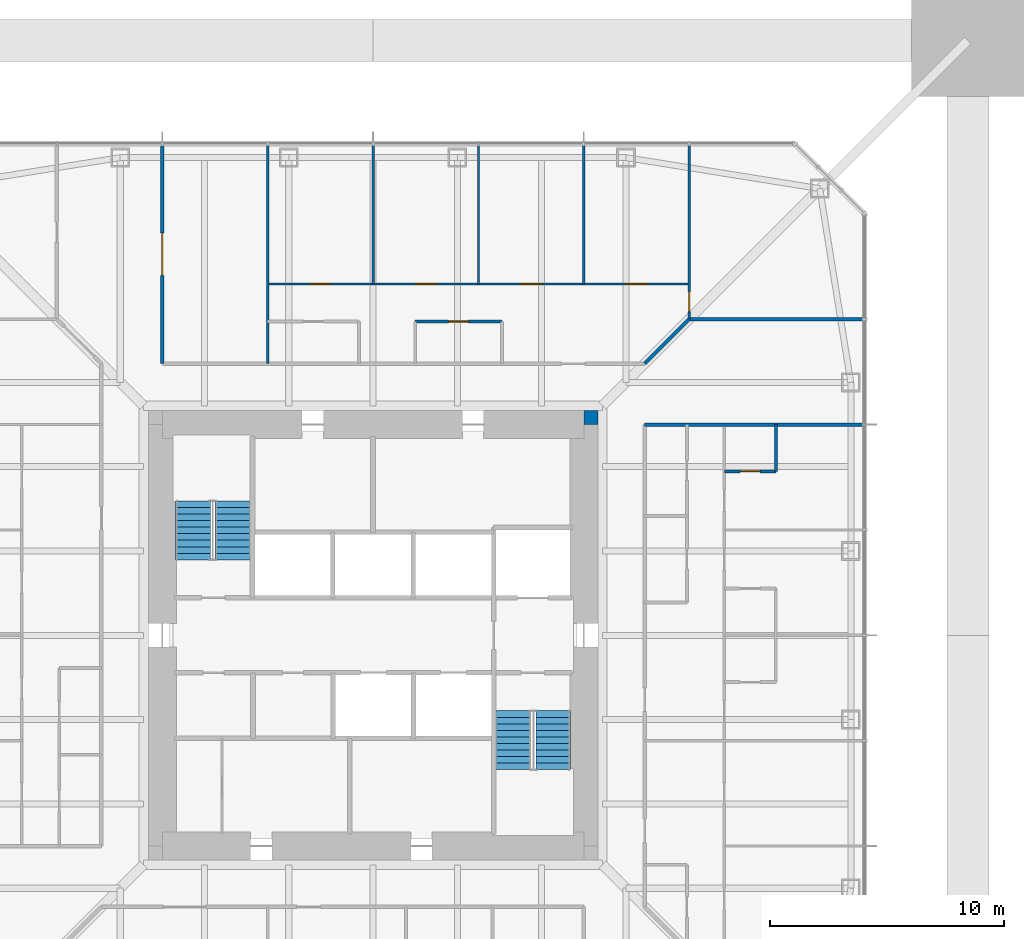
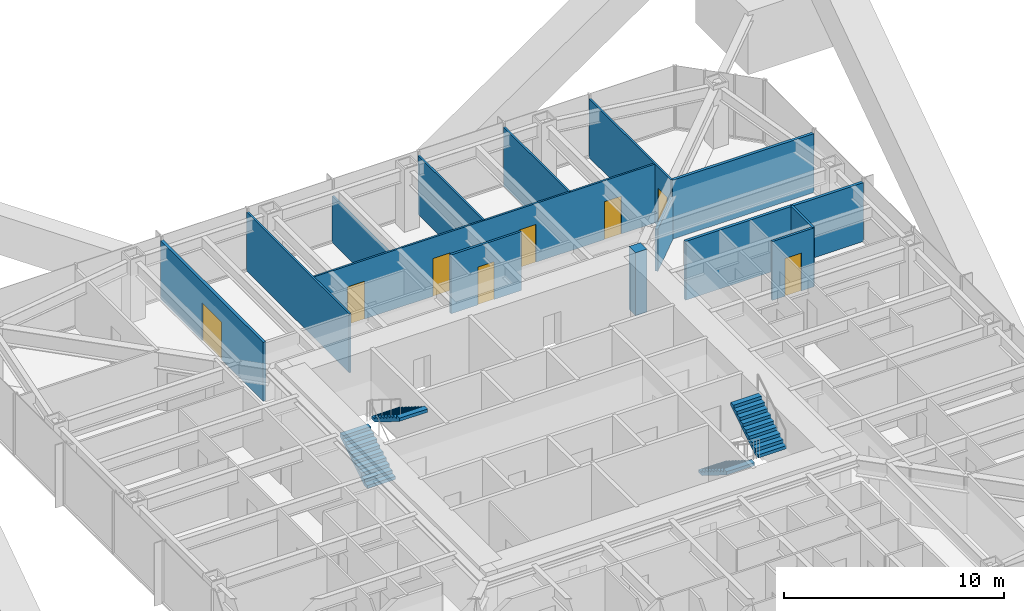
# One storey, part 13 of 17: 14 walls, 8 doors, 4 stair flights, 8 openings, 2 elements without a shape of their own.
"""IFC4 building model written with IfcOpenShell, lengths in metres."""

import ifcopenshell
import ifcopenshell.guid

model = None  # the IFC model being written
_history = None  # IfcOwnerHistory: only IFC2X3 demands one
_inside = {}  # id of a spatial element -> (the spatial element, [elements in it])
_under = {}  # id of a project, library or spatial element -> (it, [spatial elements below it])
_declared = {}  # id of a project -> (the project, [libraries it declares])
_typed = {}  # id of a type object -> (the type object, [elements of that type])
_made_of = {}  # id of a material, layer set ... -> (it, [elements and type objects made of it])


def new_model(schema):
    """Start an empty IFC model of exactly this schema.

    Asked for "IFC4X3", IfcOpenShell would pick the latest addendum, in which some entities
    have other attributes; the version numbers below select the first issue.
    IFC2X3 requires an IfcOwnerHistory on every rooted entity: one is made here for all.
    """
    global model, _history
    if schema == "IFC4X3":
        model = ifcopenshell.file(schema_version=(4, 3, 0, 0))
    else:
        model = ifcopenshell.file(schema=schema)
    _inside.clear()
    _under.clear()
    _declared.clear()
    _typed.clear()
    _made_of.clear()
    _history = None
    if model.schema == "IFC2X3":
        org = make("IfcOrganization", Name="unknown")
        user = make(
            "IfcPersonAndOrganization",
            ThePerson=make("IfcPerson", FamilyName="unknown"),
            TheOrganization=org,
        )
        app = make(
            "IfcApplication",
            ApplicationDeveloper=org,
            Version="unknown",
            ApplicationFullName="unknown",
            ApplicationIdentifier="unknown",
        )
        _history = make(
            "IfcOwnerHistory",
            OwningUser=user,
            OwningApplication=app,
            ChangeAction="ADDED",
            CreationDate=0,
        )
    return model


def make(cls, **values):
    """One entity of the class cls with the attributes given. An attribute that is None is left unset."""
    return model.create_entity(
        cls, **{name: value for name, value in values.items() if value is not None}
    )


def rooted(cls, **values):
    """An entity with a GlobalId (a new one), such as an element, a storey or a relation."""
    return make(cls, GlobalId=ifcopenshell.guid.new(), OwnerHistory=_history, **values)


def si_unit(unit_type, name, prefix=None):
    """IfcSIUnit, for example si_unit("LENGTHUNIT", "METRE", prefix="MILLI")."""
    return make("IfcSIUnit", UnitType=unit_type, Prefix=prefix, Name=name)


def assignment(units):
    """IfcUnitAssignment: the units of a project."""
    return None if units is None else make("IfcUnitAssignment", Units=units)


def point(xyz):
    """IfcCartesianPoint."""
    return None if xyz is None else make("IfcCartesianPoint", Coordinates=xyz)


def direction(xyz):
    """IfcDirection."""
    return None if xyz is None else make("IfcDirection", DirectionRatios=xyz)


def frame(location, z_axis=None, x_axis=None):
    """IfcAxis2Placement3D, a coordinate frame: its origin and axes. An axis left out is left unset."""
    return make(
        "IfcAxis2Placement3D",
        Location=point(location),
        Axis=direction(z_axis),
        RefDirection=direction(x_axis),
    )


def frame_2d(location, x_axis=None):
    """IfcAxis2Placement2D, a coordinate frame in the plane: its origin and x axis."""
    return make(
        "IfcAxis2Placement2D", Location=point(location), RefDirection=direction(x_axis)
    )


def origin():
    """The frame at (0, 0, 0) with its axes left unset."""
    return frame((0.0, 0.0, 0.0))


def place(relative_to, where):
    """IfcLocalPlacement: puts the frame where relative to a parent placement (None: the world)."""
    return make(
        "IfcLocalPlacement", PlacementRelTo=relative_to, RelativePlacement=where
    )


def context(
    kind, dimensions, precision=None, world=None, true_north=None, identifier=None
):
    """IfcGeometricRepresentationContext, for example the 3D "Model" context."""
    return make(
        "IfcGeometricRepresentationContext",
        ContextIdentifier=identifier,
        ContextType=kind,
        CoordinateSpaceDimension=dimensions,
        Precision=precision,
        WorldCoordinateSystem=world,
        TrueNorth=true_north,
    )


def subcontext(parent, identifier, kind, view, scale=None):
    """IfcGeometricRepresentationSubContext, for example "Body" below "Model"."""
    return make(
        "IfcGeometricRepresentationSubContext",
        ContextIdentifier=identifier,
        ContextType=kind,
        ParentContext=parent,
        TargetScale=scale,
        TargetView=view,
    )


def project(units=None, contexts=None):
    """IfcProject with its units and contexts."""
    return rooted(
        "IfcProject",
        Name="project",
        RepresentationContexts=contexts,
        UnitsInContext=assignment(units),
    )


def spatial(cls, under=None, at=None, **own):
    """A site, building, storey or space (cls), placed at a placement, below another one or the project."""
    s = rooted(cls, ObjectPlacement=at, **own)
    if under is not None:
        _under.setdefault(under.id(), (under, []))[1].append(s)
    return s


def polyline(points):
    """IfcPolyline through the points."""
    return make("IfcPolyline", Points=[point(p) for p in points])


def profile(cls, at=None, kind="AREA", **sizes):
    """A parametric profile (cls). Its sizes go by their IFC names, for example OverallWidth=200.0."""
    return make(cls, ProfileType=kind, Position=at, **sizes)


def rectangle(**sizes):
    """IfcRectangleProfileDef."""
    return profile("IfcRectangleProfileDef", **sizes)


def outline(outer, holes=None, kind="AREA"):
    """IfcArbitraryClosedProfileDef: a profile drawn as a closed curve; with holes, ...WithVoids."""
    if holes is None:
        return make("IfcArbitraryClosedProfileDef", ProfileType=kind, OuterCurve=outer)
    return make(
        "IfcArbitraryProfileDefWithVoids",
        ProfileType=kind,
        OuterCurve=outer,
        InnerCurves=holes,
    )


def extrude(swept, where, along, depth):
    """IfcExtrudedAreaSolid: the profile swept, set in the frame where, extruded along a direction by depth."""
    return make(
        "IfcExtrudedAreaSolid",
        SweptArea=swept,
        Position=where,
        ExtrudedDirection=direction(along),
        Depth=depth,
    )


def shape(context_of_items, identifier, shape_type, items):
    """IfcShapeRepresentation: the items that make up one representation, for example the "Body"."""
    return make(
        "IfcShapeRepresentation",
        ContextOfItems=context_of_items,
        RepresentationIdentifier=identifier,
        RepresentationType=shape_type,
        Items=items,
    )


def material(Name=None, Category=None):
    """IfcMaterial."""
    return make("IfcMaterial", Name=Name, Category=Category)


def layer(
    of_material, thickness, ventilated=None, Name=None, Category=None, Priority=None
):
    """IfcMaterialLayer: one layer of a wall or slab, of a material (None: an air gap)."""
    return make(
        "IfcMaterialLayer",
        Material=of_material,
        LayerThickness=thickness,
        IsVentilated=ventilated,
        Name=Name,
        Category=Category,
        Priority=Priority,
    )


def layer_set(layers, Name=None):
    """IfcMaterialLayerSet."""
    return make("IfcMaterialLayerSet", MaterialLayers=layers, LayerSetName=Name)


def constituent(of_material, Name=None, Category=None, fraction=None):
    """IfcMaterialConstituent: one of the materials an element consists of."""
    return make(
        "IfcMaterialConstituent",
        Name=Name,
        Material=of_material,
        Fraction=fraction,
        Category=Category,
    )


def constituent_set(constituents=None, Name=None):
    """IfcMaterialConstituentSet."""
    return make(
        "IfcMaterialConstituentSet", Name=Name, MaterialConstituents=constituents
    )


def made_of(thing, what):
    """Note that an element or type object is made of a material, layer set ...; save() writes the relation."""
    if what is not None:
        _made_of.setdefault(what.id(), (what, []))[1].append(thing)
    return thing


def type_object(cls, material=None, **own):
    """A type object (cls), such as IfcWallType, which elements share."""
    return made_of(rooted(cls, **own), material)


def element(
    cls,
    number,
    at=None,
    inside=None,
    cuts=None,
    type_object=None,
    material=None,
    context=None,
    identifier="Body",
    shape_type=None,
    held_by="IfcProductDefinitionShape",
    body=None,
    shapes=None,
    **own,
):
    """One element of the class cls, such as IfcWall. Its Tag is "e" and its number.

    at: its placement. inside: the storey or other place that contains it. cuts: it is an
    opening in that element (IfcRelVoidsElement). A single representation is given by context,
    identifier, shape_type and body (its items); several are given by shapes. held_by: the class
    of the entity that holds the representations. save() writes the other relations.
    """
    e = rooted(cls, Tag="e%d" % number, ObjectPlacement=at, **own)
    if body is not None:
        shapes = [shape(context, identifier, shape_type, body)]
    if shapes is not None:
        e.Representation = make(held_by, Representations=shapes)
    if inside is not None:
        _inside.setdefault(inside.id(), (inside, []))[1].append(e)
    if cuts is not None:
        rooted(
            "IfcRelVoidsElement", RelatingBuildingElement=cuts, RelatedOpeningElement=e
        )
    if type_object is not None:
        _typed.setdefault(type_object.id(), (type_object, []))[1].append(e)
    return made_of(e, material)


def fill(opening, filler):
    """IfcRelFillsElement: the door or window that sits in an opening."""
    return rooted(
        "IfcRelFillsElement",
        RelatingOpeningElement=opening,
        RelatedBuildingElement=filler,
    )


def aggregate(whole, parts):
    """IfcRelAggregates: a whole, such as a stair, and the parts it consists of."""
    return rooted("IfcRelAggregates", RelatingObject=whole, RelatedObjects=parts)


def save(model, path):
    """Write the relations noted so far, then the file.

    IfcRelAggregates (storeys below a building ...), IfcRelContainedInSpatialStructure (elements
    in a storey), IfcRelDefinesByType, IfcRelAssociatesMaterial and IfcRelDeclares: one each for
    every whole, place, type object, material and project.
    """
    for whole, parts in _under.values():
        aggregate(whole, parts)
    for where, things in _inside.values():
        rooted(
            "IfcRelContainedInSpatialStructure",
            RelatedElements=things,
            RelatingStructure=where,
        )
    for kind, things in _typed.values():
        rooted("IfcRelDefinesByType", RelatedObjects=things, RelatingType=kind)
    for what, things in _made_of.values():
        rooted("IfcRelAssociatesMaterial", RelatedObjects=things, RelatingMaterial=what)
    for by, libraries in _declared.values():
        rooted("IfcRelDeclares", RelatingContext=by, RelatedDefinitions=libraries)
    model.write(path)


model = new_model("IFC4")

# Units and contexts
model_context = context("Model", 3, precision=1e-05, world=origin(), true_north=direction((0.0, 1.0)))
body_context = subcontext(model_context, "Body", "Model", "MODEL_VIEW")
ifc_project = project(units=[si_unit("LENGTHUNIT", "METRE"), si_unit("AREAUNIT", "SQUARE_METRE"), si_unit("VOLUMEUNIT", "CUBIC_METRE"), si_unit("PLANEANGLEUNIT", "RADIAN"), si_unit("MASSUNIT", "GRAM", prefix="KILO")], contexts=[model_context])

# Site, building, storey
site_placement = place(None, origin())
site = spatial("IfcSite", under=ifc_project, at=site_placement, CompositionType="ELEMENT")
building_placement = place(site_placement, origin())
building = spatial("IfcBuilding", under=site, at=building_placement, Name="Iwan Alto Co-Living Towers", CompositionType="ELEMENT")
storey_placement = place(building_placement, frame((0.0, 0.0, 133.0)))
storey = spatial("IfcBuildingStorey", under=building, at=storey_placement, Name="L36", CompositionType="ELEMENT", Elevation=133.0)

# Walls
ifc_material_1 = material(Name="Gypsum board")
ifc_layer_1 = layer(ifc_material_1, 0.02490234375, Name="Board", Category="Finish")
ifc_material_2 = material(Name="Steel ASTM A1003 ST33H cold-formed studs", Category="steel")
ifc_layer_2 = layer(ifc_material_2, 0.10009765625, Name="Studs", Category="Framing")
ifc_layer_3 = layer(ifc_material_1, 0.02490234375, Name="Board", Category="Finish")
ifc_layer_set_1 = layer_set([ifc_layer_1, ifc_layer_2, ifc_layer_3], Name="CORRIDOR WALL 150")
wall_type_1 = type_object("IfcWallType", Name="CORRIDOR WALL 150", PredefinedType="PARTITIONING", material=ifc_layer_set_1)
wall_1_placement = place(storey_placement, frame((11.60009765625, 9.0, 0.0), z_axis=(0.0, 0.0, 1.0), x_axis=(1.0, 0.0, 0.0)))
element("IfcWall", 1, at=wall_1_placement, inside=storey, type_object=wall_type_1, Name="Partition L36", PredefinedType="PARTITIONING", context=body_context, shape_type="SweptSolid", body=[
    extrude(rectangle(XDim=9.33984375, YDim=0.14990234375, at=frame_2d((4.669921875, 0.0))), origin(), (0.0, 0.0, 1.0), 3.27001953125),
])
wall_2_placement = place(storey_placement, frame((13.5, 13.5, 0.0), z_axis=(0.0, 0.0, 1.0), x_axis=(1.0, 0.0, 0.0)))
element("IfcWall", 2, at=wall_2_placement, inside=storey, type_object=wall_type_1, Name="Partition L36", PredefinedType="PARTITIONING", context=body_context, shape_type="SweptSolid", body=[
    extrude(rectangle(XDim=7.43994140625, YDim=0.14990234375, at=frame_2d((3.719970703125, 0.0))), origin(), (0.0, 0.0, 1.0), 3.27001953125),
])
wall_3_placement = place(storey_placement, frame((11.60009765625, 11.60009765625, 0.0), z_axis=(0.0, 0.0, 1.0), x_axis=(0.707106781187, 0.707106781187, 0.0)))
element("IfcWall", 3, at=wall_3_placement, inside=storey, type_object=wall_type_1, Name="Partition L36", PredefinedType="PARTITIONING", context=body_context, shape_type="SweptSolid", body=[
    extrude(rectangle(XDim=2.686767578125, YDim=0.14990234375, at=frame_2d((1.34326171875, 0.0))), origin(), (0.0, 0.0, 1.0), 2.343017578125),
])

# Wall, opening, door
wall_4_placement = place(storey_placement, frame((-9.0, 11.60009765625, 0.0), z_axis=(0.0, 0.0, 1.0), x_axis=(0.0, 1.0, 0.0)))
wall_4 = element("IfcWall", 4, at=wall_4_placement, inside=storey, type_object=wall_type_1, Name="Partition L36", PredefinedType="PARTITIONING", context=body_context, shape_type="SweptSolid", body=[
    extrude(rectangle(XDim=9.33984375, YDim=0.14990234375, at=frame_2d((4.669921875, 0.0))), origin(), (0.0, 0.0, 1.0), 3.27001953125),
])
opening_1_placement = place(wall_4_placement, frame((3.77001953125, 0.0, 0.0)))
opening_1 = element("IfcOpeningElement", 5, at=opening_1_placement, cuts=wall_4, Name="Opening D9", PredefinedType="OPENING", context=body_context, shape_type="SweptSolid", body=[
    extrude(rectangle(XDim=1.800048828125, YDim=2.10009765625, at=frame_2d((0.89990234375, 1.050048828125))), frame((0.0, 0.0849609375, 0.0), z_axis=(0.0, -1.0, 0.0), x_axis=(1.0, 0.0, 0.0)), (0.0, 0.0, 1.0), 0.169921875),
])
ifc_material_3 = material(Name="Steel frame with timber leaf", Category="steel")
door_type_1 = type_object("IfcDoorType", Name="LOUNGE DOOR FD30S 1800X2100", OperationType="DOUBLE_DOOR_SINGLE_SWING", PredefinedType="DOOR", material=ifc_material_3)
door_1_placement = place(opening_1_placement, frame((1.800048828125, 0.0, 0.0), z_axis=(0.0, 0.0, 1.0), x_axis=(-1.0, 0.0, 0.0)))
door_1 = element("IfcDoor", 6, at=door_1_placement, inside=storey, type_object=door_type_1, Name="Reading room door L36", OperationType="DOUBLE_DOOR_SINGLE_SWING", OverallHeight=2.10009765625, OverallWidth=1.800048828125, PredefinedType="DOOR", context=body_context, shape_type="SweptSolid", body=[
    extrude(rectangle(XDim=1.800048828125, YDim=2.10009765625, at=frame_2d((0.89990234375, 1.050048828125))), frame((0.0, 0.02490234375, 0.0), z_axis=(0.0, -1.0, 0.0), x_axis=(1.0, 0.0, 0.0)), (0.0, 0.0, 1.0), 0.050048828125),
])
fill(opening_1, door_1)

# Wall, openings, doors
ifc_layer_4 = layer(ifc_material_1, 0.012451171875, Name="Board", Category="Finish")
ifc_layer_5 = layer(ifc_material_2, 0.074951171875, Name="Studs", Category="Framing")
ifc_layer_6 = layer(ifc_material_1, 0.012451171875, Name="Board", Category="Finish")
ifc_layer_set_2 = layer_set([ifc_layer_4, ifc_layer_5, ifc_layer_6], Name="PARTITION 100")
wall_type_2 = type_object("IfcWallType", Name="PARTITION 100", PredefinedType="PARTITIONING", material=ifc_layer_set_2)
wall_5_placement = place(storey_placement, frame((-4.5, 15.0, 0.0), z_axis=(0.0, 0.0, 1.0), x_axis=(1.0, 0.0, 0.0)))
wall_5 = element("IfcWall", 7, at=wall_5_placement, inside=storey, type_object=wall_type_2, Name="Partition L36", PredefinedType="PARTITIONING", context=body_context, shape_type="SweptSolid", body=[
    extrude(rectangle(XDim=18.0, YDim=0.10009765625, at=frame_2d((9.0, 0.0))), origin(), (0.0, 0.0, 1.0), 3.27001953125),
])
opening_2_placement = place(wall_5_placement, frame((15.300048828125, 0.0, 0.0)))
opening_2 = element("IfcOpeningElement", 8, at=opening_2_placement, cuts=wall_5, Name="Opening D1", PredefinedType="OPENING", context=body_context, shape_type="SweptSolid", body=[
    extrude(rectangle(XDim=0.89990234375, YDim=2.10009765625, at=frame_2d((0.449951171875, 1.050048828125))), frame((0.0, 0.06005859375, 0.0), z_axis=(0.0, -1.0, 0.0), x_axis=(1.0, 0.0, 0.0)), (0.0, 0.0, 1.0), 0.1201171875),
])
opening_3_placement = place(wall_5_placement, frame((10.800048828125, 0.0, 0.0)))
opening_3 = element("IfcOpeningElement", 9, at=opening_3_placement, cuts=wall_5, Name="Opening D1", PredefinedType="OPENING", context=body_context, shape_type="SweptSolid", body=[
    extrude(rectangle(XDim=0.89990234375, YDim=2.10009765625, at=frame_2d((0.449951171875, 1.050048828125))), frame((0.0, 0.06005859375, 0.0), z_axis=(0.0, -1.0, 0.0), x_axis=(1.0, 0.0, 0.0)), (0.0, 0.0, 1.0), 0.1201171875),
])
opening_4_placement = place(wall_5_placement, frame((6.300048828125, 0.0, 0.0)))
opening_4 = element("IfcOpeningElement", 10, at=opening_4_placement, cuts=wall_5, Name="Opening D1", PredefinedType="OPENING", context=body_context, shape_type="SweptSolid", body=[
    extrude(rectangle(XDim=0.89990234375, YDim=2.10009765625, at=frame_2d((0.449951171875, 1.050048828125))), frame((0.0, 0.06005859375, 0.0), z_axis=(0.0, -1.0, 0.0), x_axis=(1.0, 0.0, 0.0)), (0.0, 0.0, 1.0), 0.1201171875),
])
opening_5_placement = place(wall_5_placement, frame((1.800048828125, 0.0, 0.0)))
opening_5 = element("IfcOpeningElement", 11, at=opening_5_placement, cuts=wall_5, Name="Opening D1", PredefinedType="OPENING", context=body_context, shape_type="SweptSolid", body=[
    extrude(rectangle(XDim=0.89990234375, YDim=2.10009765625, at=frame_2d((0.449951171875, 1.050048828125))), frame((0.0, 0.06005859375, 0.0), z_axis=(0.0, -1.0, 0.0), x_axis=(1.0, 0.0, 0.0)), (0.0, 0.0, 1.0), 0.1201171875),
])
ifc_material_4 = material(Name="Timber leaf in steel frame", Category="steel")
door_type_2 = type_object("IfcDoorType", Name="BEDROOM DOOR 900X2100", OperationType="SINGLE_SWING_LEFT", PredefinedType="DOOR", material=ifc_material_4)
door_2_placement = place(opening_2_placement, frame((0.89990234375, 0.0, 0.0), z_axis=(0.0, 0.0, 1.0), x_axis=(-1.0, 0.0, 0.0)))
door_2 = element("IfcDoor", 12, at=door_2_placement, inside=storey, type_object=door_type_2, Name="Study bedroom door L36", OperationType="SINGLE_SWING_LEFT", OverallHeight=2.10009765625, OverallWidth=0.89990234375, PredefinedType="DOOR", context=body_context, shape_type="SweptSolid", body=[
    extrude(rectangle(XDim=0.89990234375, YDim=2.10009765625, at=frame_2d((0.449951171875, 1.050048828125))), frame((0.0, 0.02490234375, 0.0), z_axis=(0.0, -1.0, 0.0), x_axis=(1.0, 0.0, 0.0)), (0.0, 0.0, 1.0), 0.050048828125),
])
fill(opening_2, door_2)
door_3_placement = place(opening_3_placement, frame((0.89990234375, 0.0, 0.0), z_axis=(0.0, 0.0, 1.0), x_axis=(-1.0, 0.0, 0.0)))
door_3 = element("IfcDoor", 13, at=door_3_placement, inside=storey, type_object=door_type_2, Name="Study bedroom door L36", OperationType="SINGLE_SWING_LEFT", OverallHeight=2.10009765625, OverallWidth=0.89990234375, PredefinedType="DOOR", context=body_context, shape_type="SweptSolid", body=[
    extrude(rectangle(XDim=0.89990234375, YDim=2.10009765625, at=frame_2d((0.449951171875, 1.050048828125))), frame((0.0, 0.02490234375, 0.0), z_axis=(0.0, -1.0, 0.0), x_axis=(1.0, 0.0, 0.0)), (0.0, 0.0, 1.0), 0.050048828125),
])
fill(opening_3, door_3)
door_4_placement = place(opening_4_placement, frame((0.89990234375, 0.0, 0.0), z_axis=(0.0, 0.0, 1.0), x_axis=(-1.0, 0.0, 0.0)))
door_4 = element("IfcDoor", 14, at=door_4_placement, inside=storey, type_object=door_type_2, Name="Study bedroom door L36", OperationType="SINGLE_SWING_RIGHT", OverallHeight=2.10009765625, OverallWidth=0.89990234375, PredefinedType="DOOR", context=body_context, shape_type="SweptSolid", body=[
    extrude(rectangle(XDim=0.89990234375, YDim=2.10009765625, at=frame_2d((0.449951171875, 1.050048828125))), frame((0.0, 0.02490234375, 0.0), z_axis=(0.0, -1.0, 0.0), x_axis=(1.0, 0.0, 0.0)), (0.0, 0.0, 1.0), 0.050048828125),
])
fill(opening_4, door_4)
door_5_placement = place(opening_5_placement, frame((0.89990234375, 0.0, 0.0), z_axis=(0.0, 0.0, 1.0), x_axis=(-1.0, 0.0, 0.0)))
door_5 = element("IfcDoor", 15, at=door_5_placement, inside=storey, type_object=door_type_2, Name="Study bedroom door L36", OperationType="SINGLE_SWING_RIGHT", OverallHeight=2.10009765625, OverallWidth=0.89990234375, PredefinedType="DOOR", context=body_context, shape_type="SweptSolid", body=[
    extrude(rectangle(XDim=0.89990234375, YDim=2.10009765625, at=frame_2d((0.449951171875, 1.050048828125))), frame((0.0, 0.02490234375, 0.0), z_axis=(0.0, -1.0, 0.0), x_axis=(1.0, 0.0, 0.0)), (0.0, 0.0, 1.0), 0.050048828125),
])
fill(opening_5, door_5)

# Wall, opening, door
wall_6_placement = place(storey_placement, frame((13.5, 13.5, 0.0), z_axis=(0.0, 0.0, 1.0), x_axis=(0.0, 1.0, 0.0)))
wall_6 = element("IfcWall", 16, at=wall_6_placement, inside=storey, type_object=wall_type_2, Name="Partition L36", PredefinedType="PARTITIONING", context=body_context, shape_type="SweptSolid", body=[
    extrude(rectangle(XDim=7.43994140625, YDim=0.10009765625, at=frame_2d((3.719970703125, 0.0))), origin(), (0.0, 0.0, 1.0), 3.27001953125),
])
opening_6_placement = place(wall_6_placement, frame((0.324951171875, 0.0, 0.0)))
opening_6 = element("IfcOpeningElement", 17, at=opening_6_placement, cuts=wall_6, Name="Opening D2", PredefinedType="OPENING", context=body_context, shape_type="SweptSolid", body=[
    extrude(rectangle(XDim=0.85009765625, YDim=2.10009765625, at=frame_2d((0.425048828125, 1.050048828125))), frame((0.0, 0.06005859375, 0.0), z_axis=(0.0, -1.0, 0.0), x_axis=(1.0, 0.0, 0.0)), (0.0, 0.0, 1.0), 0.1201171875),
])
ifc_material_5 = material(Name="Timber leaf in steel frame", Category="steel")
door_type_3 = type_object("IfcDoorType", Name="ROOM DOOR 850X2100", OperationType="SINGLE_SWING_LEFT", PredefinedType="DOOR", material=ifc_material_5)
door_6_placement = place(opening_6_placement, frame((0.85009765625, 0.0, 0.0), z_axis=(0.0, 0.0, 1.0), x_axis=(-1.0, 0.0, 0.0)))
door_6 = element("IfcDoor", 18, at=door_6_placement, inside=storey, type_object=door_type_3, Name="Shared kitchen and lounge door L36", OperationType="SINGLE_SWING_RIGHT", OverallHeight=2.10009765625, OverallWidth=0.85009765625, PredefinedType="DOOR", context=body_context, shape_type="SweptSolid", body=[
    extrude(rectangle(XDim=0.85009765625, YDim=2.10009765625, at=frame_2d((0.425048828125, 1.050048828125))), frame((0.0, 0.02490234375, 0.0), z_axis=(0.0, -1.0, 0.0), x_axis=(1.0, 0.0, 0.0)), (0.0, 0.0, 1.0), 0.050048828125),
])
fill(opening_6, door_6)

# Walls
for number, where, z_axis, x_axis, name in (
    (19, (9.0, 15.0, 0.0), (0.0, 0.0, 1.0), (0.0, 1.0, 0.0), "Partition L36"),
    (20, (4.5, 15.0, 0.0), (0.0, 0.0, 1.0), (0.0, 1.0, 0.0), "Partition L36"),
):
    element("IfcWall", number, at=place(storey_placement, frame(where, z_axis=z_axis, x_axis=x_axis)), inside=storey, type_object=wall_type_2, Name=name, PredefinedType="PARTITIONING", context=body_context, shape_type="SweptSolid", body=[
        extrude(rectangle(XDim=5.93994140625, YDim=0.10009765625, at=frame_2d((2.969970703125, 0.0))), origin(), (0.0, 0.0, 1.0), 3.27001953125),
    ])
wall_7_placement = place(storey_placement, frame((0.0, 15.0, 0.0), z_axis=(0.0, 0.0, 1.0), x_axis=(0.0, 1.0, 0.0)))
element("IfcWall", 21, at=wall_7_placement, inside=storey, type_object=wall_type_2, Name="Partition L36", PredefinedType="PARTITIONING", context=body_context, shape_type="SweptSolid", body=[
    extrude(rectangle(XDim=5.93994140625, YDim=0.10009765625, at=frame_2d((2.969970703125, 0.0))), origin(), (0.0, 0.0, 1.0), 2.586669921875),
])
wall_8_placement = place(storey_placement, frame((-4.5, 11.60009765625, 0.0), z_axis=(0.0, 0.0, 1.0), x_axis=(0.0, 1.0, 0.0)))
element("IfcWall", 22, at=wall_8_placement, inside=storey, type_object=wall_type_2, Name="Partition L36", PredefinedType="PARTITIONING", context=body_context, shape_type="SweptSolid", body=[
    extrude(rectangle(XDim=9.33984375, YDim=0.10009765625, at=frame_2d((4.669921875, 0.0))), origin(), (0.0, 0.0, 1.0), 3.27001953125),
])
ifc_material_6 = material(Name="Concrete f'c 70 MPa", Category="concrete")
ifc_layer_7 = layer(ifc_material_6, 0.60009765625)
ifc_layer_set_3 = layer_set([ifc_layer_7], Name="T1 CORE CORNER FILL 600")
wall_type_3 = type_object("IfcWallType", Name="T1 CORE CORNER FILL 600", PredefinedType="SOLIDWALL", material=ifc_layer_set_3)
wall_9_placement = place(storey_placement, frame((9.0, 9.300048828125, 0.0), z_axis=(0.0, 0.0, 1.0), x_axis=(1.0, 0.0, 0.0)))
element("IfcWall", 23, at=wall_9_placement, inside=storey, type_object=wall_type_3, Name="T1 core corner NE L36", PredefinedType="SOLIDWALL", context=body_context, shape_type="SweptSolid", body=[
    extrude(rectangle(XDim=0.60009765625, YDim=0.60009765625, at=frame_2d((0.300048828125, 0.0))), origin(), (0.0, 0.0, 1.0), 3.5),
])

# Wall, opening, door
ifc_material_7 = material(Name="Cement board")
ifc_layer_8 = layer(ifc_material_7, 0.012451171875, Name="Board", Category="Finish")
ifc_layer_9 = layer(ifc_material_2, 0.094970703125, Name="Studs", Category="Framing")
ifc_layer_10 = layer(ifc_material_7, 0.012451171875, Name="Board", Category="Finish")
ifc_layer_set_4 = layer_set([ifc_layer_8, ifc_layer_9, ifc_layer_10], Name="WET AREA PARTITION 120")
wall_type_4 = type_object("IfcWallType", Name="WET AREA PARTITION 120", PredefinedType="PARTITIONING", material=ifc_layer_set_4)
wall_10_placement = place(storey_placement, frame((15.0, 7.0, 0.0), z_axis=(0.0, 0.0, 1.0), x_axis=(1.0, 0.0, 0.0)))
wall_10 = element("IfcWall", 24, at=wall_10_placement, inside=storey, type_object=wall_type_4, Name="Partition L36", PredefinedType="PARTITIONING", context=body_context, shape_type="SweptSolid", body=[
    extrude(rectangle(XDim=2.199951171875, YDim=0.1201171875, at=frame_2d((1.10009765625, 0.0))), origin(), (0.0, 0.0, 1.0), 3.27001953125),
])
opening_7_placement = place(wall_10_placement, frame((0.675048828125, 0.0, 0.0)))
opening_7 = element("IfcOpeningElement", 25, at=opening_7_placement, cuts=wall_10, Name="Opening D2", PredefinedType="OPENING", context=body_context, shape_type="SweptSolid", body=[
    extrude(rectangle(XDim=0.85009765625, YDim=2.10009765625, at=frame_2d((0.425048828125, 1.050048828125))), frame((0.0, 0.070068359375, 0.0), z_axis=(0.0, -1.0, 0.0), x_axis=(1.0, 0.0, 0.0)), (0.0, 0.0, 1.0), 0.14013671875),
])
door_7_placement = place(opening_7_placement, frame((0.85009765625, 0.0, 0.0), z_axis=(0.0, 0.0, 1.0), x_axis=(-1.0, 0.0, 0.0)))
door_7 = element("IfcDoor", 26, at=door_7_placement, inside=storey, type_object=door_type_3, Name="En-suite shower room door L36", OperationType="SINGLE_SWING_RIGHT", OverallHeight=2.10009765625, OverallWidth=0.85009765625, PredefinedType="DOOR", context=body_context, shape_type="SweptSolid", body=[
    extrude(rectangle(XDim=0.85009765625, YDim=2.10009765625, at=frame_2d((0.425048828125, 1.050048828125))), frame((0.0, 0.02490234375, 0.0), z_axis=(0.0, -1.0, 0.0), x_axis=(1.0, 0.0, 0.0)), (0.0, 0.0, 1.0), 0.050048828125),
])
fill(opening_7, door_7)

wall_11_placement = place(storey_placement, frame((1.800048828125, 13.39990234375, 0.0), z_axis=(0.0, 0.0, 1.0), x_axis=(1.0, 0.0, 0.0)))
wall_11 = element("IfcWall", 27, at=wall_11_placement, inside=storey, type_object=wall_type_4, Name="Partition L36", PredefinedType="PARTITIONING", context=body_context, shape_type="SweptSolid", body=[
    extrude(rectangle(XDim=3.699951171875, YDim=0.1201171875, at=frame_2d((1.85009765625, 0.0))), origin(), (0.0, 0.0, 1.0), 3.27001953125),
])
opening_8_placement = place(wall_11_placement, frame((1.425048828125, 0.0, 0.0)))
opening_8 = element("IfcOpeningElement", 28, at=opening_8_placement, cuts=wall_11, Name="Opening D2", PredefinedType="OPENING", context=body_context, shape_type="SweptSolid", body=[
    extrude(rectangle(XDim=0.85009765625, YDim=2.10009765625, at=frame_2d((0.425048828125, 1.050048828125))), frame((0.0, 0.070068359375, 0.0), z_axis=(0.0, -1.0, 0.0), x_axis=(1.0, 0.0, 0.0)), (0.0, 0.0, 1.0), 0.14013671875),
])
door_8_placement = place(opening_8_placement, origin())
door_8 = element("IfcDoor", 29, at=door_8_placement, inside=storey, type_object=door_type_3, Name="Accessible bathroom door L36", OperationType="SINGLE_SWING_LEFT", OverallHeight=2.10009765625, OverallWidth=0.85009765625, PredefinedType="DOOR", context=body_context, shape_type="SweptSolid", body=[
    extrude(rectangle(XDim=0.85009765625, YDim=2.10009765625, at=frame_2d((0.425048828125, 1.050048828125))), frame((0.0, 0.02490234375, 0.0), z_axis=(0.0, -1.0, 0.0), x_axis=(1.0, 0.0, 0.0)), (0.0, 0.0, 1.0), 0.050048828125),
])
fill(opening_8, door_8)

# Wall
wall_12_placement = place(storey_placement, frame((17.199951171875, 7.0, 0.0), z_axis=(0.0, 0.0, 1.0), x_axis=(0.0, 1.0, 0.0)))
element("IfcWall", 30, at=wall_12_placement, inside=storey, type_object=wall_type_4, Name="Partition L36", PredefinedType="PARTITIONING", context=body_context, shape_type="SweptSolid", body=[
    extrude(rectangle(XDim=2.0, YDim=0.1201171875, at=frame_2d((1.0, 0.0))), origin(), (0.0, 0.0, 1.0), 3.27001953125),
])

# Stair, stair flights
ifc_material_8 = material(Name="Steel ASTM A36", Category="steel")
ifc_constituent_1 = constituent(ifc_material_8, Name="Stringers", Category="LoadBearing")
ifc_material_9 = material(Name="Concrete f'c 30 MPa", Category="concrete")
ifc_constituent_2 = constituent(ifc_material_9, Name="Tread fill", Category="Finish")
ifc_constituent_set_1 = constituent_set(constituents=[ifc_constituent_1, ifc_constituent_2], Name="STAIR 3500 TWO-FLIGHT T1 CORE")
stair_type = type_object("IfcStairType", Name="STAIR 3500 TWO-FLIGHT T1 CORE", PredefinedType="HALF_TURN_STAIR", material=ifc_constituent_set_1)
stair_1_placement = place(storey_placement, origin())
stair_1 = element("IfcStair", 31, at=stair_1_placement, inside=storey, type_object=stair_type, Name="Stair T1-S1 L36 to L37", PredefinedType="HALF_TURN_STAIR")
ifc_constituent_3 = constituent(ifc_material_8, Name="Stringers", Category="LoadBearing")
ifc_constituent_4 = constituent(ifc_material_9, Name="Tread fill", Category="Finish")
ifc_constituent_set_2 = constituent_set(constituents=[ifc_constituent_3, ifc_constituent_4], Name="STAIR FLIGHT 10 RISERS 280 GOING")
stair_flight_type = type_object("IfcStairFlightType", Name="STAIR FLIGHT 10 RISERS 280 GOING", PredefinedType="STRAIGHT", material=ifc_constituent_set_2)
stair_flight_1_placement = place(storey_placement, frame((-7.68994140625, 3.219970703125, 0.0), z_axis=(0.0, 0.0, 1.0), x_axis=(0.0, 1.0, 0.0)))
stair_flight_1 = element("IfcStairFlight", 32, at=stair_flight_1_placement, type_object=stair_flight_type, Name="T1-S1 flight 1", NumberOfRisers=10, NumberOfTreads=9, PredefinedType="STRAIGHT", RiserHeight=0.175, TreadLength=0.28, context=body_context, shape_type="SweptSolid", body=[
    extrude(outline(polyline([(0.0, 0.0), (0.0, 0.175048828125), (0.280029296875, 0.175048828125), (0.280029296875, 0.35009765625), (0.56005859375, 0.35009765625), (0.56005859375, 0.52490234375), (0.840087890625, 0.52490234375), (0.840087890625, 0.699951171875), (1.1201171875, 0.699951171875), (1.1201171875, 0.875), (1.39990234375, 0.875), (1.39990234375, 1.050048828125), (1.679931640625, 1.050048828125), (1.679931640625, 1.22509765625), (1.9599609375, 1.22509765625), (1.9599609375, 1.39990234375), (2.239990234375, 1.39990234375), (2.239990234375, 1.574951171875), (2.52001953125, 1.574951171875), (2.52001953125, 1.75), (2.52001953125, 1.398193359375), (0.28271484375, 0.0), (0.0, 0.0)])), frame((0.0, 0.739990234375, 0.0), z_axis=(0.0, -1.0, 0.0), x_axis=(1.0, 0.0, 0.0)), (0.0, 0.0, 1.0), 1.47998046875),
])
stair_flight_2_placement = place(storey_placement, frame((-6.010009765625, 5.739990234375, 1.75), z_axis=(0.0, 0.0, 1.0), x_axis=(0.0, -1.0, 0.0)))
stair_flight_2 = element("IfcStairFlight", 33, at=stair_flight_2_placement, type_object=stair_flight_type, Name="T1-S1 flight 2", NumberOfRisers=10, NumberOfTreads=9, PredefinedType="STRAIGHT", RiserHeight=0.175, TreadLength=0.28, context=body_context, shape_type="SweptSolid", body=[
    extrude(outline(polyline([(0.0, 0.0), (0.0, 0.175048828125), (0.280029296875, 0.175048828125), (0.280029296875, 0.35009765625), (0.56005859375, 0.35009765625), (0.56005859375, 0.52490234375), (0.840087890625, 0.52490234375), (0.840087890625, 0.699951171875), (1.1201171875, 0.699951171875), (1.1201171875, 0.875), (1.39990234375, 0.875), (1.39990234375, 1.050048828125), (1.679931640625, 1.050048828125), (1.679931640625, 1.22509765625), (1.9599609375, 1.22509765625), (1.9599609375, 1.39990234375), (2.239990234375, 1.39990234375), (2.239990234375, 1.574951171875), (2.52001953125, 1.574951171875), (2.52001953125, 1.75), (2.52001953125, 1.398193359375), (0.28271484375, 0.0), (0.0, 0.0)])), frame((0.0, 0.739990234375, 0.0), z_axis=(0.0, -1.0, 0.0), x_axis=(1.0, 0.0, 0.0)), (0.0, 0.0, 1.0), 1.47998046875),
])
aggregate(stair_1, [stair_flight_1, stair_flight_2])

stair_2_placement = place(storey_placement, origin())
stair_2 = element("IfcStair", 34, at=stair_2_placement, inside=storey, type_object=stair_type, Name="Stair T1-S2 L36 to L37", PredefinedType="HALF_TURN_STAIR")
stair_flight_3_placement = place(storey_placement, frame((6.010009765625, -3.219970703125, 0.0), z_axis=(0.0, 0.0, 1.0), x_axis=(0.0, -1.0, 0.0)))
stair_flight_3 = element("IfcStairFlight", 35, at=stair_flight_3_placement, type_object=stair_flight_type, Name="T1-S2 flight 1", NumberOfRisers=10, NumberOfTreads=9, PredefinedType="STRAIGHT", RiserHeight=0.175, TreadLength=0.28, context=body_context, shape_type="SweptSolid", body=[
    extrude(outline(polyline([(0.0, 0.0), (0.0, 0.175048828125), (0.280029296875, 0.175048828125), (0.280029296875, 0.35009765625), (0.56005859375, 0.35009765625), (0.56005859375, 0.52490234375), (0.840087890625, 0.52490234375), (0.840087890625, 0.699951171875), (1.1201171875, 0.699951171875), (1.1201171875, 0.875), (1.39990234375, 0.875), (1.39990234375, 1.050048828125), (1.679931640625, 1.050048828125), (1.679931640625, 1.22509765625), (1.9599609375, 1.22509765625), (1.9599609375, 1.39990234375), (2.239990234375, 1.39990234375), (2.239990234375, 1.574951171875), (2.52001953125, 1.574951171875), (2.52001953125, 1.75), (2.52001953125, 1.398193359375), (0.28271484375, 0.0), (0.0, 0.0)])), frame((0.0, 0.739990234375, 0.0), z_axis=(0.0, -1.0, 0.0), x_axis=(1.0, 0.0, 0.0)), (0.0, 0.0, 1.0), 1.47998046875),
])
stair_flight_4_placement = place(storey_placement, frame((7.68994140625, -5.739990234375, 1.75), z_axis=(0.0, 0.0, 1.0), x_axis=(0.0, 1.0, 0.0)))
stair_flight_4 = element("IfcStairFlight", 36, at=stair_flight_4_placement, type_object=stair_flight_type, Name="T1-S2 flight 2", NumberOfRisers=10, NumberOfTreads=9, PredefinedType="STRAIGHT", RiserHeight=0.175, TreadLength=0.28, context=body_context, shape_type="SweptSolid", body=[
    extrude(outline(polyline([(0.0, 0.0), (0.0, 0.175048828125), (0.280029296875, 0.175048828125), (0.280029296875, 0.35009765625), (0.56005859375, 0.35009765625), (0.56005859375, 0.52490234375), (0.840087890625, 0.52490234375), (0.840087890625, 0.699951171875), (1.1201171875, 0.699951171875), (1.1201171875, 0.875), (1.39990234375, 0.875), (1.39990234375, 1.050048828125), (1.679931640625, 1.050048828125), (1.679931640625, 1.22509765625), (1.9599609375, 1.22509765625), (1.9599609375, 1.39990234375), (2.239990234375, 1.39990234375), (2.239990234375, 1.574951171875), (2.52001953125, 1.574951171875), (2.52001953125, 1.75), (2.52001953125, 1.398193359375), (0.28271484375, 0.0), (0.0, 0.0)])), frame((0.0, 0.739990234375, 0.0), z_axis=(0.0, -1.0, 0.0), x_axis=(1.0, 0.0, 0.0)), (0.0, 0.0, 1.0), 1.47998046875),
])
aggregate(stair_2, [stair_flight_3, stair_flight_4])

save(model, "model.ifc")
